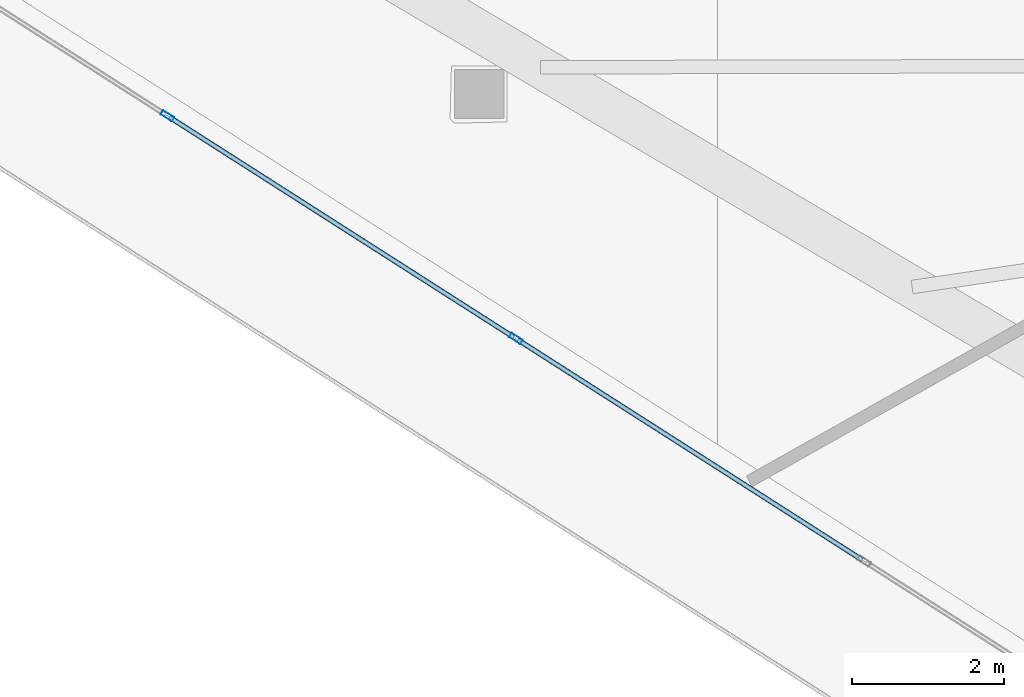
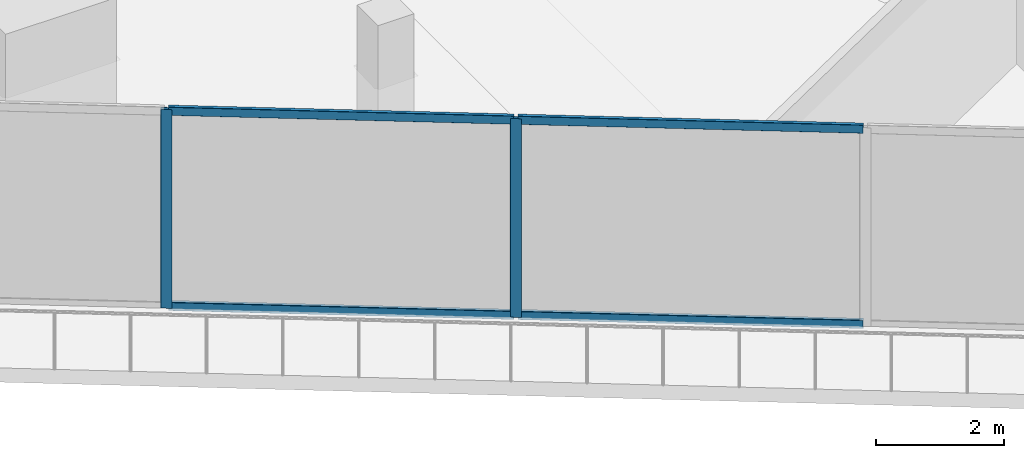
# One storey, part 3 of 38: 6 members, 1 element without a shape of its own.
"""IFC4 building model written with IfcOpenShell, lengths in metres."""

from ifc_helpers import new_model, si_unit, direction, frame, origin, origin_2d, place, context, subcontext, project, spatial, hollow_rectangle, extrude, material, layer, layer_set, material_profile, profile_set, type_object, element, aggregate, save


model = new_model("IFC4")

# Units and contexts
model_context = context("Model", 3, precision=1e-05, world=origin(), true_north=direction((0.0, 1.0)))
body_context = subcontext(model_context, "Body", "Model", "MODEL_VIEW")
ifc_project = project(units=[si_unit("LENGTHUNIT", "METRE"), si_unit("AREAUNIT", "SQUARE_METRE"), si_unit("VOLUMEUNIT", "CUBIC_METRE"), si_unit("PLANEANGLEUNIT", "RADIAN"), si_unit("MASSUNIT", "GRAM", prefix="KILO")], contexts=[model_context])

# Site, building, storey
site_placement = place(None, origin())
site = spatial("IfcSite", under=ifc_project, at=site_placement, CompositionType="ELEMENT")
building_placement = place(site_placement, origin())
building = spatial("IfcBuilding", under=site, at=building_placement, Name="Qorvath Tower", CompositionType="ELEMENT")
storey_placement = place(building_placement, frame((0.0, 0.0, 134.10009765625)))
storey = spatial("IfcBuildingStorey", under=building, at=storey_placement, Name="L30", CompositionType="ELEMENT", Elevation=134.10009765625)

# Curtain wall, members
ifc_material_1 = material(Name="Anodised aluminium and triple low-E glass", Category="aluminium")
ifc_layer = layer(ifc_material_1, 0.179931640625)
ifc_layer_set = layer_set([ifc_layer], Name="CW-SYS-3")
curtain_wall_type = type_object("IfcCurtainWallType", Name="CW-SYS-3", PredefinedType="NOTDEFINED", material=ifc_layer_set)
curtain_wall_placement = place(storey_placement, origin())
curtain_wall = element("IfcCurtainWall", 1, at=curtain_wall_placement, inside=storey, type_object=curtain_wall_type, Name="Curtain Wall CW-3 CW-T-L30-2.1", PredefinedType="NOTDEFINED")
ifc_material_2 = material(Name="Anodised aluminium 6063-T6", Category="aluminium")
ifc_material_profile_1 = material_profile(ifc_material_2, hollow_rectangle(XDim=0.06494140625, YDim=0.179931640625, WallThickness=0.00341796875, InnerFilletRadius=0.00341796875, OuterFilletRadius=0.007080078125, at=origin_2d()), Name="CWM 180x65")
ifc_profile_set_1 = profile_set([ifc_material_profile_1], Name="Anodised aluminium 6063-T6")
member_type_1 = type_object("IfcMemberType", Name="CWM-180", PredefinedType="MULLION", material=ifc_profile_set_1)
member_1_placement = place(storey_placement, frame((-52.69140625, -6.712646484375, 0.0), z_axis=(0.0, 0.0, 1.0), x_axis=(0.538534399095, 0.842603525385, 0.0)))
member_1 = element("IfcMember", 2, at=member_1_placement, type_object=member_type_1, Name="CW-3 mullion 2", PredefinedType="MULLION", context=body_context, shape_type="SweptSolid", body=[
    extrude(hollow_rectangle(XDim=0.06494140625, YDim=0.179931640625, WallThickness=0.00341796875, InnerFilletRadius=0.00341796875, OuterFilletRadius=0.007080078125, at=origin_2d()), origin(), (0.0, 0.0, 1.0), 3.77978515625),
])
member_2_placement = place(storey_placement, frame((-48.09619140625, -9.649658203125, 0.0), z_axis=(0.0, 0.0, 1.0), x_axis=(0.538534399095, 0.842603525385, 0.0)))
member_2 = element("IfcMember", 3, at=member_2_placement, type_object=member_type_1, Name="CW-3 mullion 3", PredefinedType="MULLION", context=body_context, shape_type="SweptSolid", body=[
    extrude(hollow_rectangle(XDim=0.06494140625, YDim=0.179931640625, WallThickness=0.00341796875, InnerFilletRadius=0.00341796875, OuterFilletRadius=0.007080078125, at=origin_2d()), origin(), (0.0, 0.0, 1.0), 3.77978515625),
])
ifc_material_3 = material(Name="Anodised aluminium 6063-T6", Category="aluminium")
ifc_material_profile_2 = material_profile(ifc_material_3, hollow_rectangle(XDim=0.06494140625, YDim=0.159912109375, WallThickness=0.00341796875, InnerFilletRadius=0.00341796875, OuterFilletRadius=0.007080078125, at=origin_2d()), Name="CWT 160x65")
ifc_profile_set_2 = profile_set([ifc_material_profile_2], Name="Anodised aluminium 6063-T6")
member_type_2 = type_object("IfcMemberType", Name="CWT-160", PredefinedType="USERDEFINED", material=ifc_profile_set_2)
member_3_placement = place(storey_placement, frame((-52.6640625, -6.730224609375, 0.032470703125), z_axis=(0.842602030071, -0.538536738691, 0.0), x_axis=(0.538536738691, 0.842602030071, 0.0)))
member_3 = element("IfcMember", 4, at=member_3_placement, type_object=member_type_2, Name="CW-3 transom 2.1", ObjectType="TRANSOM", PredefinedType="USERDEFINED", context=body_context, shape_type="SweptSolid", body=[
    extrude(hollow_rectangle(XDim=0.06494140625, YDim=0.159912109375, WallThickness=0.00341796875, InnerFilletRadius=0.00341796875, OuterFilletRadius=0.007080078125, at=origin_2d()), origin(), (0.0, 0.0, 1.0), 5.388427734375),
])
member_4_placement = place(storey_placement, frame((-52.6640625, -6.730224609375, 3.747314453125), z_axis=(0.842602030071, -0.538536738691, 0.0), x_axis=(0.538536738691, 0.842602030071, 0.0)))
member_4 = element("IfcMember", 5, at=member_4_placement, type_object=member_type_2, Name="CW-3 transom 2.2", ObjectType="TRANSOM", PredefinedType="USERDEFINED", context=body_context, shape_type="SweptSolid", body=[
    extrude(hollow_rectangle(XDim=0.06494140625, YDim=0.159912109375, WallThickness=0.00341796875, InnerFilletRadius=0.00341796875, OuterFilletRadius=0.007080078125, at=origin_2d()), origin(), (0.0, 0.0, 1.0), 5.388427734375),
])
member_5_placement = place(storey_placement, frame((-48.06884765625, -9.6669921875, 0.032470703125), z_axis=(0.842602030071, -0.538536738691, 0.0), x_axis=(0.538536738691, 0.842602030071, 0.0)))
member_5 = element("IfcMember", 6, at=member_5_placement, type_object=member_type_2, Name="CW-3 transom 3.1", ObjectType="TRANSOM", PredefinedType="USERDEFINED", context=body_context, shape_type="SweptSolid", body=[
    extrude(hollow_rectangle(XDim=0.06494140625, YDim=0.159912109375, WallThickness=0.00341796875, InnerFilletRadius=0.00341796875, OuterFilletRadius=0.007080078125, at=origin_2d()), origin(), (0.0, 0.0, 1.0), 5.388427734375),
])
member_6_placement = place(storey_placement, frame((-48.06884765625, -9.6669921875, 3.747314453125), z_axis=(0.842602030071, -0.538536738691, 0.0), x_axis=(0.538536738691, 0.842602030071, 0.0)))
member_6 = element("IfcMember", 7, at=member_6_placement, type_object=member_type_2, Name="CW-3 transom 3.2", ObjectType="TRANSOM", PredefinedType="USERDEFINED", context=body_context, shape_type="SweptSolid", body=[
    extrude(hollow_rectangle(XDim=0.06494140625, YDim=0.159912109375, WallThickness=0.00341796875, InnerFilletRadius=0.00341796875, OuterFilletRadius=0.007080078125, at=origin_2d()), origin(), (0.0, 0.0, 1.0), 5.388427734375),
])
aggregate(curtain_wall, [member_1, member_2, member_3, member_4, member_5, member_6])

save(model, "model.ifc")
